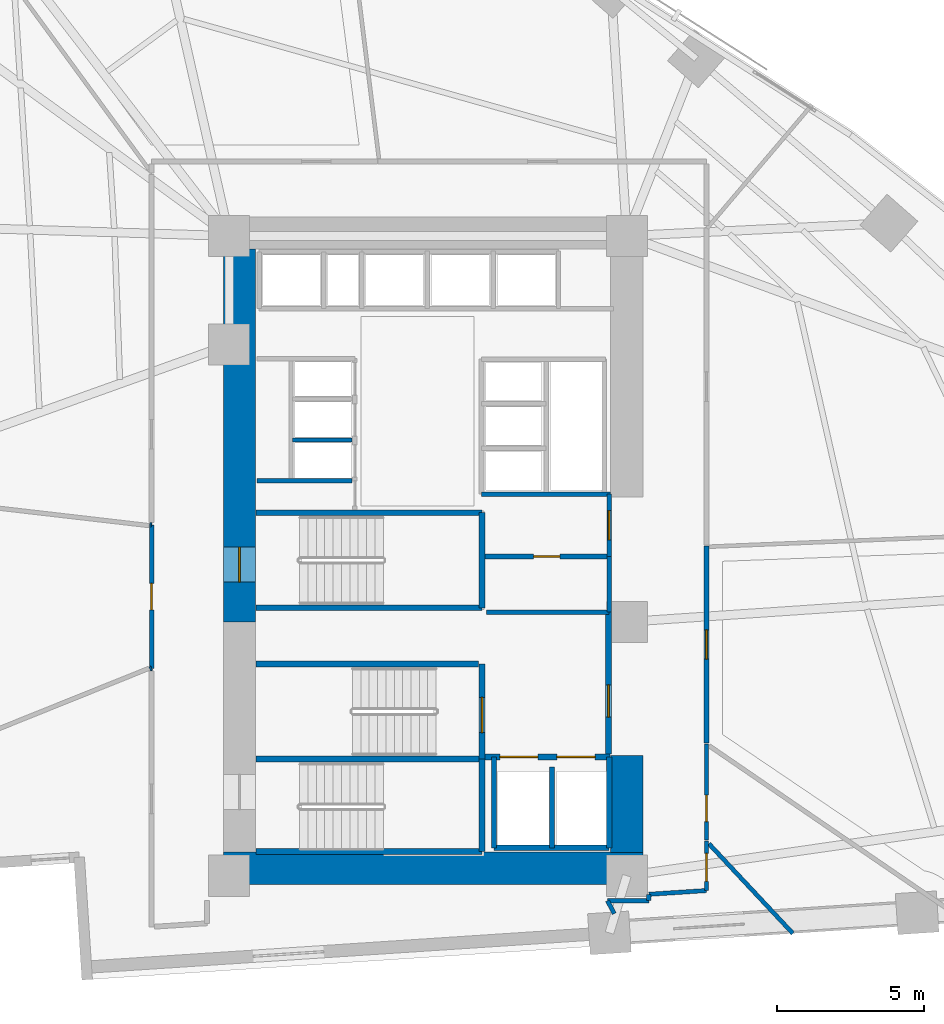
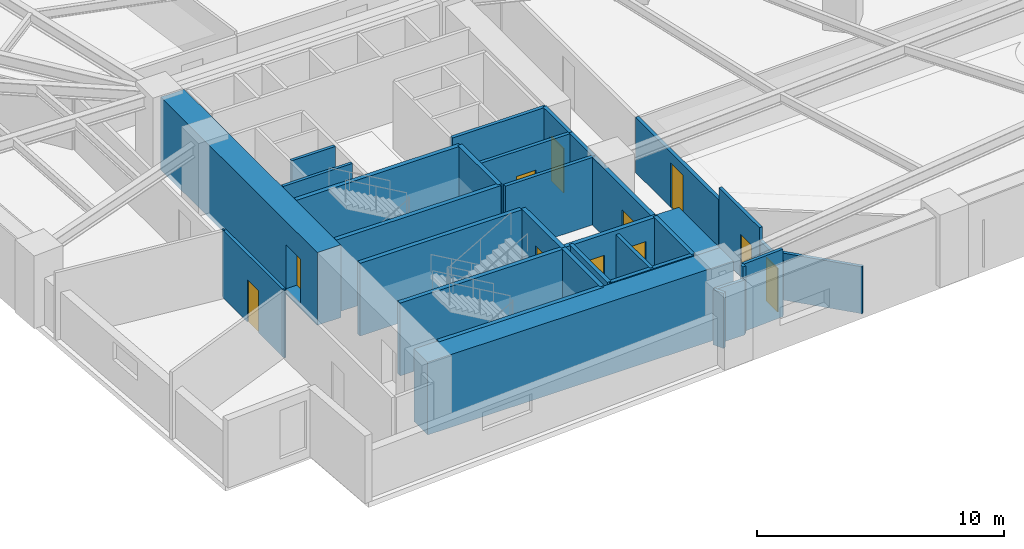
# One storey, part 12 of 16: 35 walls, 11 doors, 11 openings.
"""IFC4 building model written with IfcOpenShell, lengths in metres."""

from ifc_helpers import new_model, si_unit, direction, frame, frame_2d, origin, place, context, subcontext, project, spatial, rectangle, extrude, material, layer, layer_set, type_object, element, fill, save


model = new_model("IFC4")

# Units and contexts
model_context = context("Model", 3, precision=1e-05, world=origin(), true_north=direction((0.0, 1.0)))
body_context = subcontext(model_context, "Body", "Model", "MODEL_VIEW")
ifc_project = project(units=[si_unit("LENGTHUNIT", "METRE"), si_unit("AREAUNIT", "SQUARE_METRE"), si_unit("VOLUMEUNIT", "CUBIC_METRE"), si_unit("PLANEANGLEUNIT", "RADIAN"), si_unit("MASSUNIT", "GRAM", prefix="KILO")], contexts=[model_context])

# Site, building, storey
site_placement = place(None, origin())
site = spatial("IfcSite", under=ifc_project, at=site_placement, CompositionType="ELEMENT")
building_placement = place(site_placement, origin())
building = spatial("IfcBuilding", under=site, at=building_placement, Name="Narakoshi Arena Tower", CompositionType="ELEMENT")
storey_placement = place(building_placement, frame((0.0, 0.0, 81.300048828125)))
storey = spatial("IfcBuildingStorey", under=building, at=storey_placement, Name="L21", CompositionType="ELEMENT", Elevation=81.300048828125)

# Walls
ifc_material_1 = material(Name="Concrete C60/75", Category="concrete")
ifc_layer_1 = layer(ifc_material_1, 1.10009765625)
ifc_layer_set_1 = layer_set([ifc_layer_1], Name="Concrete C60/75")
wall_type_1 = type_object("IfcWallType", Name="WL-CORE-1100", PredefinedType="SHEAR", material=ifc_layer_set_1)
wall_1_placement = place(storey_placement, frame((71.800048828125, 34.949951171875, -0.260009765625), z_axis=(0.0, 0.0, 1.0), x_axis=(1.0, 0.0, 0.0)))
element("IfcWall", 1, at=wall_1_placement, inside=storey, type_object=wall_type_1, Name="L21 Central Core Shear Wall CW-APX-S", PredefinedType="SHEAR", context=body_context, shape_type="SweptSolid", body=[
    extrude(rectangle(XDim=14.300048828125, YDim=1.10009765625, at=frame_2d((7.14990234375, 0.0))), origin(), (0.0, 0.0, 1.0), 3.599853515625),
])
wall_2_placement = place(storey_placement, frame((85.550048828125, 35.5, -0.260009765625), z_axis=(0.0, 0.0, 1.0), x_axis=(0.0, 1.0, 0.0)))
element("IfcWall", 2, at=wall_2_placement, inside=storey, type_object=wall_type_1, Name="L21 Central Core Shear Wall CW-APX-E", PredefinedType="SHEAR", context=body_context, shape_type="SweptSolid", body=[
    extrude(rectangle(XDim=3.300048828125, YDim=1.10009765625, at=frame_2d((1.64990234375, 0.0))), origin(), (0.0, 0.0, 1.0), 3.599853515625),
])

# Wall, opening, door
wall_3_placement = place(storey_placement, frame((72.35009765625, 43.35009765625, -0.260009765625), z_axis=(0.0, 0.0, 1.0), x_axis=(0.0, 1.0, 0.0)))
wall_3 = element("IfcWall", 3, at=wall_3_placement, inside=storey, type_object=wall_type_1, Name="L21 Main Core Shear Wall CW-MN-W", PredefinedType="SHEAR", context=body_context, shape_type="SweptSolid", body=[
    extrude(rectangle(XDim=12.699951171875, YDim=1.10009765625, at=frame_2d((6.35009765625, 0.0))), origin(), (0.0, 0.0, 1.0), 3.599853515625),
])
opening_1_placement = place(wall_3_placement, frame((1.35009765625, 0.0, 0.260009765625)))
opening_1 = element("IfcOpeningElement", 4, at=opening_1_placement, cuts=wall_3, Name="Opening D-03", PredefinedType="OPENING", context=body_context, shape_type="SweptSolid", body=[
    extrude(rectangle(XDim=1.199951171875, YDim=2.199951171875, at=frame_2d((0.60009765625, 1.10009765625))), frame((0.0, 0.56005859375, 0.0), z_axis=(0.0, -1.0, 0.0), x_axis=(1.0, 0.0, 0.0)), (0.0, 0.0, 1.0), 1.1201171875),
])
ifc_material_2 = material(Name="Painted galvanized steel", Category="steel")
door_type_1 = type_object("IfcDoorType", Name="DR-STR-1200", OperationType="NOTDEFINED", PredefinedType="USERDEFINED", material=ifc_material_2)
door_1_placement = place(opening_1_placement, frame((1.199951171875, 0.0, 0.0), z_axis=(0.0, 0.0, 1.0), x_axis=(-1.0, 0.0, 0.0)))
door_1 = element("IfcDoor", 5, at=door_1_placement, inside=storey, type_object=door_type_1, Name="DR-L21-007", ObjectType="EXITDOOR", OperationType="SINGLE_SWING_LEFT", OverallHeight=2.199951171875, OverallWidth=1.199951171875, PredefinedType="USERDEFINED", context=body_context, shape_type="SweptSolid", body=[
    extrude(rectangle(XDim=1.199951171875, YDim=2.199951171875, at=frame_2d((0.60009765625, 1.10009765625))), frame((0.0, 0.02490234375, 0.0), z_axis=(0.0, -1.0, 0.0), x_axis=(1.0, 0.0, 0.0)), (0.0, 0.0, 1.0), 0.050048828125),
])
fill(opening_1, door_1)

ifc_material_3 = material(Name="Gypsum plasterboard fire-rated partition")
ifc_layer_2 = layer(ifc_material_3, 0.1650390625)
ifc_layer_set_2 = layer_set([ifc_layer_2], Name="Gypsum plasterboard fire-rated partition")
wall_type_2 = type_object("IfcWallType", Name="WL-CORR-165", PredefinedType="PARTITIONING", material=ifc_layer_set_2)
wall_4_placement = place(storey_placement, frame((84.949951171875, 45.580078125, 0.0), z_axis=(0.0, 0.0, 1.0), x_axis=(0.0, 1.0, 0.0)))
wall_4 = element("IfcWall", 6, at=wall_4_placement, inside=storey, type_object=wall_type_2, Name="L21 Core Wall CPAS-E", PredefinedType="PARTITIONING", context=body_context, shape_type="SweptSolid", body=[
    extrude(rectangle(XDim=2.119873046875, YDim=0.1650390625, at=frame_2d((1.06005859375, 0.0))), origin(), (0.0, 0.0, 1.0), 3.33984375),
])
opening_2_placement = place(wall_4_placement, frame((0.56005859375, 0.0, 0.0)))
opening_2 = element("IfcOpeningElement", 7, at=opening_2_placement, cuts=wall_4, Name="Opening D-06", PredefinedType="OPENING", context=body_context, shape_type="SweptSolid", body=[
    extrude(rectangle(XDim=1.0, YDim=2.199951171875, at=frame_2d((0.5, 1.10009765625))), frame((0.0, 0.092529296875, 0.0), z_axis=(0.0, -1.0, 0.0), x_axis=(1.0, 0.0, 0.0)), (0.0, 0.0, 1.0), 0.18505859375),
])
ifc_material_4 = material(Name="Stained oak solid-core timber", Category="wood")
door_type_2 = type_object("IfcDoorType", Name="DR-OFF-1000", OperationType="NOTDEFINED", PredefinedType="DOOR", material=ifc_material_4)
door_2_placement = place(opening_2_placement, frame((1.0, 0.0, 0.0), z_axis=(0.0, 0.0, 1.0), x_axis=(-1.0, 0.0, 0.0)))
door_2 = element("IfcDoor", 8, at=door_2_placement, inside=storey, type_object=door_type_2, Name="DR-L21-008", OperationType="SINGLE_SWING_LEFT", OverallHeight=2.199951171875, OverallWidth=1.0, PredefinedType="DOOR", context=body_context, shape_type="SweptSolid", body=[
    extrude(rectangle(XDim=1.0, YDim=2.199951171875, at=frame_2d((0.5, 1.10009765625))), frame((0.0, 0.02490234375, 0.0), z_axis=(0.0, -1.0, 0.0), x_axis=(1.0, 0.0, 0.0)), (0.0, 0.0, 1.0), 0.050048828125),
])
fill(opening_2, door_2)

wall_5_placement = place(storey_placement, frame((88.265625, 39.2177734375, 0.0), z_axis=(0.0, 0.0, 1.0), x_axis=(0.0, 1.0, 0.0)))
wall_5 = element("IfcWall", 9, at=wall_5_placement, inside=storey, type_object=wall_type_2, Name="L21 Corridor Partition 05-1", PredefinedType="PARTITIONING", context=body_context, shape_type="SweptSolid", body=[
    extrude(rectangle(XDim=6.7255859375, YDim=0.1650390625, at=frame_2d((3.36279296875, 0.0))), origin(), (0.0, 0.0, 1.0), 2.724853515625),
])
opening_3_placement = place(wall_5_placement, frame((2.86279296875, 0.0, 0.0)))
opening_3 = element("IfcOpeningElement", 10, at=opening_3_placement, cuts=wall_5, Name="Opening D-06", PredefinedType="OPENING", context=body_context, shape_type="SweptSolid", body=[
    extrude(rectangle(XDim=1.0, YDim=2.199951171875, at=frame_2d((0.5, 1.10009765625))), frame((0.0, 0.092529296875, 0.0), z_axis=(0.0, -1.0, 0.0), x_axis=(1.0, 0.0, 0.0)), (0.0, 0.0, 1.0), 0.18505859375),
])
door_3_placement = place(opening_3_placement, frame((1.0, 0.0, 0.0), z_axis=(0.0, 0.0, 1.0), x_axis=(-1.0, 0.0, 0.0)))
door_3 = element("IfcDoor", 11, at=door_3_placement, inside=storey, type_object=door_type_2, Name="DR-L21-018", OperationType="SINGLE_SWING_LEFT", OverallHeight=2.199951171875, OverallWidth=1.0, PredefinedType="DOOR", context=body_context, shape_type="SweptSolid", body=[
    extrude(rectangle(XDim=1.0, YDim=2.199951171875, at=frame_2d((0.5, 1.10009765625))), frame((0.0, 0.02490234375, 0.0), z_axis=(0.0, -1.0, 0.0), x_axis=(1.0, 0.0, 0.0)), (0.0, 0.0, 1.0), 0.050048828125),
])
fill(opening_3, door_3)

# Walls
ifc_material_5 = material(Name="Concrete C40/50", Category="concrete")
ifc_layer_3 = layer(ifc_material_5, 0.280029296875)
ifc_layer_set_3 = layer_set([ifc_layer_3], Name="Concrete C40/50")
wall_type_3 = type_object("IfcWallType", Name="WL-RISER-280", PredefinedType="PLUMBINGWALL", material=ifc_layer_set_3)
wall_6_placement = place(storey_placement, frame((83.0, 35.64990234375, 0.0), z_axis=(0.0, 0.0, 1.0), x_axis=(0.0, 1.0, 0.0)))
element("IfcWall", 12, at=wall_6_placement, inside=storey, type_object=wall_type_3, Name="L21 Core Wall FF-DIV", PredefinedType="PLUMBINGWALL", context=body_context, shape_type="SweptSolid", body=[
    extrude(rectangle(XDim=2.75, YDim=0.159912109375, at=frame_2d((1.375, 0.0))), origin(), (0.0, 0.0, 1.0), 3.33984375),
])
wall_7_placement = place(storey_placement, frame((84.949951171875, 43.679931640625, 0.0), z_axis=(0.0, 0.0, 1.0), x_axis=(0.0, 1.0, 0.0)))
element("IfcWall", 13, at=wall_7_placement, inside=storey, type_object=wall_type_3, Name="L21 Core Wall RSR-E", PredefinedType="PLUMBINGWALL", context=body_context, shape_type="SweptSolid", body=[
    extrude(rectangle(XDim=1.900146484375, YDim=0.1650390625, at=frame_2d((0.9501953125, 0.0))), origin(), (0.0, 0.0, 1.0), 3.33984375),
])

# Wall, opening, door
wall_8_placement = place(storey_placement, frame((80.719970703125, 45.580078125, 0.0), z_axis=(0.0, 0.0, 1.0), x_axis=(1.0, 0.0, 0.0)))
wall_8 = element("IfcWall", 14, at=wall_8_placement, inside=storey, type_object=wall_type_3, Name="L21 Core Wall RSR-N", PredefinedType="PLUMBINGWALL", context=body_context, shape_type="SweptSolid", body=[
    extrude(rectangle(XDim=4.22998046875, YDim=0.159912109375, at=frame_2d((2.114990234375, 0.0))), origin(), (0.0, 0.0, 1.0), 3.33984375),
])
opening_4_placement = place(wall_8_placement, frame((1.64990234375, 0.0, 0.0)))
opening_4 = element("IfcOpeningElement", 15, at=opening_4_placement, cuts=wall_8, Name="Opening D-08", PredefinedType="OPENING", context=body_context, shape_type="SweptSolid", body=[
    extrude(rectangle(XDim=0.89990234375, YDim=2.10009765625, at=frame_2d((0.449951171875, 1.050048828125))), frame((0.0, 0.08984375, 0.0), z_axis=(0.0, -1.0, 0.0), x_axis=(1.0, 0.0, 0.0)), (0.0, 0.0, 1.0), 0.179931640625),
])
ifc_material_6 = material(Name="Moisture-resistant laminate timber", Category="wood")
door_type_3 = type_object("IfcDoorType", Name="DR-WC-900", OperationType="NOTDEFINED", PredefinedType="DOOR", material=ifc_material_6)
door_4_placement = place(opening_4_placement, frame((0.89990234375, 0.0, 0.0), z_axis=(0.0, 0.0, 1.0), x_axis=(-1.0, 0.0, 0.0)))
door_4 = element("IfcDoor", 16, at=door_4_placement, inside=storey, type_object=door_type_3, Name="DR-L21-009", OperationType="SINGLE_SWING_LEFT", OverallHeight=2.10009765625, OverallWidth=0.89990234375, PredefinedType="DOOR", context=body_context, shape_type="SweptSolid", body=[
    extrude(rectangle(XDim=0.89990234375, YDim=2.10009765625, at=frame_2d((0.449951171875, 1.050048828125))), frame((0.0, 0.02490234375, 0.0), z_axis=(0.0, -1.0, 0.0), x_axis=(1.0, 0.0, 0.0)), (0.0, 0.0, 1.0), 0.050048828125),
])
fill(opening_4, door_4)

# Walls
wall_9_placement = place(storey_placement, frame((80.760009765625, 43.679931640625, 0.0), z_axis=(0.0, 0.0, 1.0), x_axis=(1.0, 0.0, 0.0)))
element("IfcWall", 17, at=wall_9_placement, inside=storey, type_object=wall_type_3, Name="L21 Core Wall RSR-S", PredefinedType="PLUMBINGWALL", context=body_context, shape_type="SweptSolid", body=[
    extrude(rectangle(XDim=4.18994140625, YDim=0.159912109375, at=frame_2d((2.094970703125, 0.0))), origin(), (0.0, 0.0, 1.0), 3.33984375),
])
wall_10_placement = place(storey_placement, frame((72.949951171875, 48.159912109375, 0.0), z_axis=(0.0, 0.0, 1.0), x_axis=(1.0, 0.0, 0.0)))
element("IfcWall", 18, at=wall_10_placement, inside=storey, type_object=wall_type_3, Name="L21 Core Wall LR-S0", PredefinedType="PLUMBINGWALL", context=body_context, shape_type="SweptSolid", body=[
    extrude(rectangle(XDim=3.239990234375, YDim=0.139892578125, at=frame_2d((1.6201171875, 0.0))), origin(), (0.0, 0.0, 1.0), 3.33984375),
])
wall_11_placement = place(storey_placement, frame((74.14990234375, 49.550048828125, 0.0), z_axis=(0.0, 0.0, 1.0), x_axis=(1.0, 0.0, 0.0)))
element("IfcWall", 19, at=wall_11_placement, inside=storey, type_object=wall_type_3, Name="L21 Core Wall LR-D1", PredefinedType="PLUMBINGWALL", context=body_context, shape_type="SweptSolid", body=[
    extrude(rectangle(XDim=2.0400390625, YDim=0.139892578125, at=frame_2d((1.02001953125, 0.0))), origin(), (0.0, 0.0, 1.0), 3.33984375),
])
ifc_material_7 = material(Name="Concrete C50/60", Category="concrete")
ifc_layer_4 = layer(ifc_material_7, 0.35009765625)
ifc_layer_set_4 = layer_set([ifc_layer_4], Name="Concrete C50/60")
wall_type_4 = type_object("IfcWallType", Name="WL-SHAFT-350", PredefinedType="SOLIDWALL", material=ifc_layer_set_4)
for number, where, z_axis, x_axis, name in (
    (20, (72.919921875, 35.52001953125, -0.260009765625), (0.0, 0.0, 1.0), (1.0, 0.0, 0.0), "L21 Core Wall ST1-S"),
    (21, (72.919921875, 38.675048828125, -0.260009765625), (0.0, 0.0, 1.0), (1.0, 0.0, 0.0), "L21 Core Wall ST12-DIV"),
):
    element("IfcWall", number, at=place(storey_placement, frame(where, z_axis=z_axis, x_axis=x_axis)), inside=storey, type_object=wall_type_4, Name=name, PredefinedType="SOLIDWALL", context=body_context, shape_type="SweptSolid", body=[
        extrude(rectangle(XDim=7.7001953125, YDim=0.199951171875, at=frame_2d((3.85009765625, 0.0))), origin(), (0.0, 0.0, 1.0), 3.599853515625),
    ])
wall_12_placement = place(storey_placement, frame((80.6201171875, 35.52001953125, -0.260009765625), z_axis=(0.0, 0.0, 1.0), x_axis=(0.0, 1.0, 0.0)))
element("IfcWall", 22, at=wall_12_placement, inside=storey, type_object=wall_type_4, Name="L21 Core Wall ST1-E", PredefinedType="SOLIDWALL", context=body_context, shape_type="SweptSolid", body=[
    extrude(rectangle(XDim=3.155029296875, YDim=0.199951171875, at=frame_2d((1.57763671875, 0.0))), origin(), (0.0, 0.0, 1.0), 3.599853515625),
])

# Wall, opening, door
wall_13_placement = place(storey_placement, frame((80.6201171875, 38.675048828125, -0.260009765625), z_axis=(0.0, 0.0, 1.0), x_axis=(0.0, 1.0, 0.0)))
wall_13 = element("IfcWall", 23, at=wall_13_placement, inside=storey, type_object=wall_type_4, Name="L21 Core Wall ST2-E", PredefinedType="SOLIDWALL", context=body_context, shape_type="SweptSolid", body=[
    extrude(rectangle(XDim=3.244873046875, YDim=0.199951171875, at=frame_2d((1.62255859375, 0.0))), origin(), (0.0, 0.0, 1.0), 3.599853515625),
])
opening_5_placement = place(wall_13_placement, frame((0.89990234375, 0.0, 0.260009765625)))
opening_5 = element("IfcOpeningElement", 24, at=opening_5_placement, cuts=wall_13, Name="Opening D-03", PredefinedType="OPENING", context=body_context, shape_type="SweptSolid", body=[
    extrude(rectangle(XDim=1.199951171875, YDim=2.199951171875, at=frame_2d((0.60009765625, 1.10009765625))), frame((0.0, 0.10986328125, 0.0), z_axis=(0.0, -1.0, 0.0), x_axis=(1.0, 0.0, 0.0)), (0.0, 0.0, 1.0), 0.219970703125),
])
door_5_placement = place(opening_5_placement, origin())
door_5 = element("IfcDoor", 25, at=door_5_placement, inside=storey, type_object=door_type_1, Name="DR-L21-003", ObjectType="EXITDOOR", OperationType="SINGLE_SWING_RIGHT", OverallHeight=2.199951171875, OverallWidth=1.199951171875, PredefinedType="USERDEFINED", context=body_context, shape_type="SweptSolid", body=[
    extrude(rectangle(XDim=1.199951171875, YDim=2.199951171875, at=frame_2d((0.60009765625, 1.10009765625))), frame((0.0, 0.02490234375, 0.0), z_axis=(0.0, -1.0, 0.0), x_axis=(1.0, 0.0, 0.0)), (0.0, 0.0, 1.0), 0.050048828125),
])
fill(opening_5, door_5)

# Wall, openings, doors
wall_14_placement = place(storey_placement, frame((80.719970703125, 38.75, 0.0), z_axis=(0.0, 0.0, 1.0), x_axis=(1.0, 0.0, 0.0)))
wall_14 = element("IfcWall", 26, at=wall_14_placement, inside=storey, type_object=wall_type_4, Name="L21 Core Wall FF-N", PredefinedType="SOLIDWALL", context=body_context, shape_type="SweptSolid", body=[
    extrude(rectangle(XDim=4.260009765625, YDim=0.199951171875, at=frame_2d((2.1298828125, 0.0))), origin(), (0.0, 0.0, 1.0), 3.33984375),
])
opening_6_placement = place(wall_14_placement, frame((0.5, 0.0, 0.0)))
opening_6 = element("IfcOpeningElement", 27, at=opening_6_placement, cuts=wall_14, Name="Opening LD-02", PredefinedType="OPENING", context=body_context, shape_type="SweptSolid", body=[
    extrude(rectangle(XDim=1.300048828125, YDim=2.300048828125, at=frame_2d((0.64990234375, 1.14990234375))), frame((0.0, 0.10986328125, 0.0), z_axis=(0.0, -1.0, 0.0), x_axis=(1.0, 0.0, 0.0)), (0.0, 0.0, 1.0), 0.219970703125),
])
opening_7_placement = place(wall_14_placement, frame((2.449951171875, 0.0, 0.0)))
opening_7 = element("IfcOpeningElement", 28, at=opening_7_placement, cuts=wall_14, Name="Opening LD-02", PredefinedType="OPENING", context=body_context, shape_type="SweptSolid", body=[
    extrude(rectangle(XDim=1.300048828125, YDim=2.300048828125, at=frame_2d((0.64990234375, 1.14990234375))), frame((0.0, 0.10986328125, 0.0), z_axis=(0.0, -1.0, 0.0), x_axis=(1.0, 0.0, 0.0)), (0.0, 0.0, 1.0), 0.219970703125),
])
ifc_material_8 = material(Name="Brushed bronze stainless steel", Category="steel")
door_type_4 = type_object("IfcDoorType", Name="DR-LFT-1300", OperationType="DOUBLE_DOOR_SLIDING", PredefinedType="DOOR", material=ifc_material_8)
door_6_placement = place(opening_6_placement, origin())
door_6 = element("IfcDoor", 29, at=door_6_placement, inside=storey, type_object=door_type_4, Name="DR-L21-004", OperationType="DOUBLE_DOOR_SLIDING", OverallHeight=2.300048828125, OverallWidth=1.300048828125, PredefinedType="DOOR", context=body_context, shape_type="SweptSolid", body=[
    extrude(rectangle(XDim=1.300048828125, YDim=2.300048828125, at=frame_2d((0.64990234375, 1.14990234375))), frame((0.0, 0.02490234375, 0.0), z_axis=(0.0, -1.0, 0.0), x_axis=(1.0, 0.0, 0.0)), (0.0, 0.0, 1.0), 0.050048828125),
])
fill(opening_6, door_6)
door_7_placement = place(opening_7_placement, origin())
door_7 = element("IfcDoor", 30, at=door_7_placement, inside=storey, type_object=door_type_4, Name="DR-L21-005", OperationType="DOUBLE_DOOR_SLIDING", OverallHeight=2.300048828125, OverallWidth=1.300048828125, PredefinedType="DOOR", context=body_context, shape_type="SweptSolid", body=[
    extrude(rectangle(XDim=1.300048828125, YDim=2.300048828125, at=frame_2d((0.64990234375, 1.14990234375))), frame((0.0, 0.02490234375, 0.0), z_axis=(0.0, -1.0, 0.0), x_axis=(1.0, 0.0, 0.0)), (0.0, 0.0, 1.0), 0.050048828125),
])
fill(opening_7, door_7)

# Walls
for number, where, z_axis, x_axis, name in (
    (31, (84.949951171875, 35.64990234375, 0.0), (0.0, 0.0, 1.0), (0.0, 1.0, 0.0), "L21 Core Wall FF-E"),
    (32, (81.02001953125, 35.64990234375, 0.0), (0.0, 0.0, 1.0), (0.0, 1.0, 0.0), "L21 Core Wall FF-W"),
):
    element("IfcWall", number, at=place(storey_placement, frame(where, z_axis=z_axis, x_axis=x_axis)), inside=storey, type_object=wall_type_4, Name=name, PredefinedType="SOLIDWALL", context=body_context, shape_type="SweptSolid", body=[
        extrude(rectangle(XDim=3.10009765625, YDim=0.179931640625, at=frame_2d((1.550048828125, 0.0))), origin(), (0.0, 0.0, 1.0), 3.33984375),
    ])
wall_15_placement = place(storey_placement, frame((81.02001953125, 35.64990234375, 0.0), z_axis=(0.0, 0.0, 1.0), x_axis=(1.0, 0.0, 0.0)))
element("IfcWall", 33, at=wall_15_placement, inside=storey, type_object=wall_type_4, Name="L21 Core Wall FF-S", PredefinedType="SOLIDWALL", context=body_context, shape_type="SweptSolid", body=[
    extrude(rectangle(XDim=3.929931640625, YDim=0.179931640625, at=frame_2d((1.96484375, 0.0))), origin(), (0.0, 0.0, 1.0), 3.33984375),
])

# Wall, opening, door
wall_16_placement = place(storey_placement, frame((84.919921875, 38.85009765625, 0.0), z_axis=(0.0, 0.0, 1.0), x_axis=(0.0, 1.0, 0.0)))
wall_16 = element("IfcWall", 34, at=wall_16_placement, inside=storey, type_object=wall_type_4, Name="L21 Core Wall FFLOB-E", PredefinedType="SOLIDWALL", context=body_context, shape_type="SweptSolid", body=[
    extrude(rectangle(XDim=4.829833984375, YDim=0.199951171875, at=frame_2d((2.4150390625, 0.0))), origin(), (0.0, 0.0, 1.0), 3.33984375),
])
opening_8_placement = place(wall_16_placement, frame((1.25, 0.0, 0.0)))
opening_8 = element("IfcOpeningElement", 35, at=opening_8_placement, cuts=wall_16, Name="Opening D-04", PredefinedType="OPENING", context=body_context, shape_type="SweptSolid", body=[
    extrude(rectangle(XDim=1.10009765625, YDim=2.199951171875, at=frame_2d((0.550048828125, 1.10009765625))), frame((0.0, 0.10986328125, 0.0), z_axis=(0.0, -1.0, 0.0), x_axis=(1.0, 0.0, 0.0)), (0.0, 0.0, 1.0), 0.219970703125),
])
door_type_5 = type_object("IfcDoorType", Name="DR-FFL-1100", OperationType="NOTDEFINED", PredefinedType="DOOR", material=ifc_material_2)
door_8_placement = place(opening_8_placement, frame((1.10009765625, 0.0, 0.0), z_axis=(0.0, 0.0, 1.0), x_axis=(-1.0, 0.0, 0.0)))
door_8 = element("IfcDoor", 36, at=door_8_placement, inside=storey, type_object=door_type_5, Name="DR-L21-006", OperationType="SINGLE_SWING_RIGHT", OverallHeight=2.199951171875, OverallWidth=1.10009765625, PredefinedType="DOOR", context=body_context, shape_type="SweptSolid", body=[
    extrude(rectangle(XDim=1.10009765625, YDim=2.199951171875, at=frame_2d((0.550048828125, 1.10009765625))), frame((0.0, 0.02490234375, 0.0), z_axis=(0.0, -1.0, 0.0), x_axis=(1.0, 0.0, 0.0)), (0.0, 0.0, 1.0), 0.050048828125),
])
fill(opening_8, door_8)

# Walls
wall_17_placement = place(storey_placement, frame((72.919921875, 41.919921875, -0.260009765625), z_axis=(0.0, 0.0, 1.0), x_axis=(1.0, 0.0, 0.0)))
element("IfcWall", 37, at=wall_17_placement, inside=storey, type_object=wall_type_4, Name="L21 Core Wall ST2-N", PredefinedType="SOLIDWALL", context=body_context, shape_type="SweptSolid", body=[
    extrude(rectangle(XDim=7.580078125, YDim=0.199951171875, at=frame_2d((3.7900390625, 0.0))), origin(), (0.0, 0.0, 1.0), 3.599853515625),
])
for number, where, z_axis, x_axis, name in (
    (38, (72.919921875, 43.830078125, -0.260009765625), (0.0, 0.0, 1.0), (1.0, 0.0, 0.0), "L21 Core Wall ST3-S"),
    (39, (72.919921875, 47.070068359375, -0.260009765625), (0.0, 0.0, 1.0), (1.0, 0.0, 0.0), "L21 Core Wall ST3-N"),
):
    element("IfcWall", number, at=place(storey_placement, frame(where, z_axis=z_axis, x_axis=x_axis)), inside=storey, type_object=wall_type_4, Name=name, PredefinedType="SOLIDWALL", context=body_context, shape_type="SweptSolid", body=[
        extrude(rectangle(XDim=7.7001953125, YDim=0.199951171875, at=frame_2d((3.85009765625, 0.0))), origin(), (0.0, 0.0, 1.0), 3.599853515625),
    ])
wall_18_placement = place(storey_placement, frame((80.6201171875, 43.830078125, -0.260009765625), z_axis=(0.0, 0.0, 1.0), x_axis=(0.0, 1.0, 0.0)))
element("IfcWall", 40, at=wall_18_placement, inside=storey, type_object=wall_type_4, Name="L21 Core Wall ST3-E", PredefinedType="SOLIDWALL", context=body_context, shape_type="SweptSolid", body=[
    extrude(rectangle(XDim=3.239990234375, YDim=0.199951171875, at=frame_2d((1.6201171875, 0.0))), origin(), (0.0, 0.0, 1.0), 3.599853515625),
])
wall_19_placement = place(storey_placement, frame((80.60009765625, 47.699951171875, 0.0), z_axis=(0.0, 0.0, 1.0), x_axis=(1.0, 0.0, 0.0)))
element("IfcWall", 41, at=wall_19_placement, inside=storey, type_object=wall_type_4, Name="L21 Core Wall MR-S", PredefinedType="SOLIDWALL", context=body_context, shape_type="SweptSolid", body=[
    extrude(rectangle(XDim=4.39990234375, YDim=0.159912109375, at=frame_2d((2.199951171875, 0.0))), origin(), (0.0, 0.0, 1.0), 3.33984375),
])

# Wall, opening, door
ifc_material_9 = material(Name="Moisture-resistant cement-board partition")
ifc_layer_5 = layer(ifc_material_9, 0.14501953125)
ifc_layer_set_5 = layer_set([ifc_layer_5], Name="Moisture-resistant cement-board partition")
wall_type_5 = type_object("IfcWallType", Name="WL-WET-145", PredefinedType="PARTITIONING", material=ifc_layer_set_5)
wall_20_placement = place(storey_placement, frame((69.357421875, 46.655517578125, 0.0), z_axis=(0.0, 0.0, 1.0), x_axis=(0.0, -1.0, 0.0)))
wall_20 = element("IfcWall", 42, at=wall_20_placement, inside=storey, type_object=wall_type_5, Name="L21 Corridor Partition 01-1", PredefinedType="PARTITIONING", context=body_context, shape_type="SweptSolid", body=[
    extrude(rectangle(XDim=4.88623046875, YDim=0.14501953125, at=frame_2d((2.443115234375, 0.0))), origin(), (0.0, 0.0, 1.0), 3.33984375),
])
opening_9_placement = place(wall_20_placement, frame((1.9931640625, 0.0, 0.0)))
opening_9 = element("IfcOpeningElement", 43, at=opening_9_placement, cuts=wall_20, Name="Opening D-08", PredefinedType="OPENING", context=body_context, shape_type="SweptSolid", body=[
    extrude(rectangle(XDim=0.89990234375, YDim=2.10009765625, at=frame_2d((0.449951171875, 1.050048828125))), frame((0.0, 0.08251953125, 0.0), z_axis=(0.0, -1.0, 0.0), x_axis=(1.0, 0.0, 0.0)), (0.0, 0.0, 1.0), 0.1650390625),
])
door_9_placement = place(opening_9_placement, frame((0.89990234375, 0.0, 0.0), z_axis=(0.0, 0.0, 1.0), x_axis=(-1.0, 0.0, 0.0)))
door_9 = element("IfcDoor", 44, at=door_9_placement, inside=storey, type_object=door_type_3, Name="DR-L21-014", OperationType="SINGLE_SWING_RIGHT", OverallHeight=2.10009765625, OverallWidth=0.89990234375, PredefinedType="DOOR", context=body_context, shape_type="SweptSolid", body=[
    extrude(rectangle(XDim=0.89990234375, YDim=2.10009765625, at=frame_2d((0.449951171875, 1.050048828125))), frame((0.0, 0.02490234375, 0.0), z_axis=(0.0, -1.0, 0.0), x_axis=(1.0, 0.0, 0.0)), (0.0, 0.0, 1.0), 0.050048828125),
])
fill(opening_9, door_9)

# Walls
wall_21_placement = place(storey_placement, frame((69.357421875, 41.769287109375, 0.0), z_axis=(0.0, 0.0, 1.0), x_axis=(-0.924521719342, -0.381129361851, 0.0)))
element("IfcWall", 45, at=wall_21_placement, inside=storey, type_object=wall_type_5, Name="L21 Corridor Partition 01-2", PredefinedType="PARTITIONING", context=body_context, shape_type="SweptSolid", body=[
    extrude(rectangle(XDim=0.064697265625, YDim=0.14501953125, at=frame_2d((0.0322265625, 0.0))), origin(), (0.0, 0.0, 1.0), 3.33984375),
])
wall_22_placement = place(storey_placement, frame((69.297607421875, 46.662109375, 0.0), z_axis=(0.0, 0.0, 1.0), x_axis=(0.993982288611, -0.109540905275, 0.0)))
element("IfcWall", 46, at=wall_22_placement, inside=storey, type_object=wall_type_5, Name="L21 Corridor Partition 01-3", PredefinedType="PARTITIONING", context=body_context, shape_type="SweptSolid", body=[
    extrude(rectangle(XDim=0.06005859375, YDim=0.14501953125, at=frame_2d((0.030029296875, 0.0))), origin(), (0.0, 0.0, 1.0), 3.33984375),
])
wall_23_placement = place(storey_placement, frame((86.300048828125, 34.066650390625, 0.0), z_axis=(0.0, 0.0, 1.0), x_axis=(0.997864504331, 0.065317922467, 0.0)))
element("IfcWall", 47, at=wall_23_placement, inside=storey, type_object=wall_type_5, Name="L21 Corridor Partition 03-1", PredefinedType="PARTITIONING", context=body_context, shape_type="SweptSolid", body=[
    extrude(rectangle(XDim=1.9697265625, YDim=0.14501953125, at=frame_2d((0.98486328125, 0.0))), origin(), (0.0, 0.0, 1.0), 3.33984375),
])

# Wall, opening, door
wall_24_placement = place(storey_placement, frame((88.265625, 34.1953125, 0.0), z_axis=(0.0, 0.0, 1.0), x_axis=(0.0, 1.0, 0.0)))
wall_24 = element("IfcWall", 48, at=wall_24_placement, inside=storey, type_object=wall_type_5, Name="L21 Corridor Partition 03-2", PredefinedType="PARTITIONING", context=body_context, shape_type="SweptSolid", body=[
    extrude(rectangle(XDim=1.6806640625, YDim=0.14501953125, at=frame_2d((0.84033203125, 0.0))), origin(), (0.0, 0.0, 1.0), 2.724853515625),
])
opening_10_placement = place(wall_24_placement, frame((0.315673828125, 0.0, 0.0)))
opening_10 = element("IfcOpeningElement", 49, at=opening_10_placement, cuts=wall_24, Name="Opening D-07", PredefinedType="OPENING", context=body_context, shape_type="SweptSolid", body=[
    extrude(rectangle(XDim=0.949951171875, YDim=2.14990234375, at=frame_2d((0.47509765625, 1.074951171875))), frame((0.0, 0.08251953125, 0.0), z_axis=(0.0, -1.0, 0.0), x_axis=(1.0, 0.0, 0.0)), (0.0, 0.0, 1.0), 0.1650390625),
])
door_type_6 = type_object("IfcDoorType", Name="DR-ACC-950", OperationType="NOTDEFINED", PredefinedType="DOOR", material=ifc_material_4)
door_10_placement = place(opening_10_placement, frame((0.949951171875, 0.0, 0.0), z_axis=(0.0, 0.0, 1.0), x_axis=(-1.0, 0.0, 0.0)))
door_10 = element("IfcDoor", 50, at=door_10_placement, inside=storey, type_object=door_type_6, Name="DR-L21-016", OperationType="SINGLE_SWING_LEFT", OverallHeight=2.14990234375, OverallWidth=0.949951171875, PredefinedType="DOOR", context=body_context, shape_type="SweptSolid", body=[
    extrude(rectangle(XDim=0.949951171875, YDim=2.14990234375, at=frame_2d((0.47509765625, 1.074951171875))), frame((0.0, 0.02490234375, 0.0), z_axis=(0.0, -1.0, 0.0), x_axis=(1.0, 0.0, 0.0)), (0.0, 0.0, 1.0), 0.050048828125),
])
fill(opening_10, door_10)

# Wall
wall_25_placement = place(storey_placement, frame((88.35009765625, 35.78564453125, 0.0), z_axis=(0.0, 0.0, 1.0), x_axis=(0.683383217661, -0.730059845368, 0.0)))
element("IfcWall", 51, at=wall_25_placement, inside=storey, type_object=wall_type_5, Name="L21 Inter-Room Partition 03-04", PredefinedType="PARTITIONING", context=body_context, shape_type="SweptSolid", body=[
    extrude(rectangle(XDim=4.17919921875, YDim=0.14501953125, at=frame_2d((2.089599609375, 0.0))), origin(), (0.0, 0.0, 1.0), 2.324951171875),
])

# Wall, opening, door
wall_26_placement = place(storey_placement, frame((88.265625, 35.910400390625, 0.0), z_axis=(0.0, 0.0, 1.0), x_axis=(0.0, 1.0, 0.0)))
wall_26 = element("IfcWall", 52, at=wall_26_placement, inside=storey, type_object=wall_type_5, Name="L21 Corridor Partition 04-1", PredefinedType="PARTITIONING", context=body_context, shape_type="SweptSolid", body=[
    extrude(rectangle(XDim=3.2783203125, YDim=0.14501953125, at=frame_2d((1.63916015625, 0.0))), origin(), (0.0, 0.0, 1.0), 3.33984375),
])
opening_11_placement = place(wall_26_placement, frame((0.63525390625, 0.0, 0.0)))
opening_11 = element("IfcOpeningElement", 53, at=opening_11_placement, cuts=wall_26, Name="Opening D-08", PredefinedType="OPENING", context=body_context, shape_type="SweptSolid", body=[
    extrude(rectangle(XDim=0.89990234375, YDim=2.10009765625, at=frame_2d((0.449951171875, 1.050048828125))), frame((0.0, 0.08251953125, 0.0), z_axis=(0.0, -1.0, 0.0), x_axis=(1.0, 0.0, 0.0)), (0.0, 0.0, 1.0), 0.1650390625),
])
door_11_placement = place(opening_11_placement, frame((0.89990234375, 0.0, 0.0), z_axis=(0.0, 0.0, 1.0), x_axis=(-1.0, 0.0, 0.0)))
door_11 = element("IfcDoor", 54, at=door_11_placement, inside=storey, type_object=door_type_3, Name="DR-L21-017", OperationType="SINGLE_SWING_LEFT", OverallHeight=2.10009765625, OverallWidth=0.89990234375, PredefinedType="DOOR", context=body_context, shape_type="SweptSolid", body=[
    extrude(rectangle(XDim=0.89990234375, YDim=2.10009765625, at=frame_2d((0.449951171875, 1.050048828125))), frame((0.0, 0.02490234375, 0.0), z_axis=(0.0, -1.0, 0.0), x_axis=(1.0, 0.0, 0.0)), (0.0, 0.0, 1.0), 0.050048828125),
])
fill(opening_11, door_11)

# Walls
wall_27_placement = place(storey_placement, frame((84.89111328125, 33.85009765625, 0.0), z_axis=(0.0, 0.0, 1.0), x_axis=(1.0, 0.0, 0.0)))
element("IfcWall", 55, at=wall_27_placement, inside=storey, type_object=wall_type_5, Name="L21 Room Enclosure Partition 03-1", PredefinedType="PARTITIONING", context=body_context, shape_type="SweptSolid", body=[
    extrude(rectangle(XDim=1.408935546875, YDim=0.14501953125, at=frame_2d((0.70458984375, 0.0))), origin(), (0.0, 0.0, 1.0), 2.724853515625),
])
wall_28_placement = place(storey_placement, frame((86.300048828125, 33.85009765625, 0.0), z_axis=(0.0, 0.0, 1.0), x_axis=(0.0, 1.0, 0.0)))
element("IfcWall", 56, at=wall_28_placement, inside=storey, type_object=wall_type_5, Name="L21 Room Enclosure Partition 03-2", PredefinedType="PARTITIONING", context=body_context, shape_type="SweptSolid", body=[
    extrude(rectangle(XDim=0.216552734375, YDim=0.14501953125, at=frame_2d((0.1083984375, 0.0))), origin(), (0.0, 0.0, 1.0), 3.33984375),
])
wall_29_placement = place(storey_placement, frame((85.119873046875, 33.407958984375, 0.0), z_axis=(0.0, 0.0, 1.0), x_axis=(-0.459529650034, 0.888162429255, 0.0)))
element("IfcWall", 57, at=wall_29_placement, inside=storey, type_object=wall_type_5, Name="L21 Room Enclosure Partition 03-3", PredefinedType="PARTITIONING", context=body_context, shape_type="SweptSolid", body=[
    extrude(rectangle(XDim=0.497802734375, YDim=0.14501953125, at=frame_2d((0.2490234375, 0.0))), origin(), (0.0, 0.0, 1.0), 2.724853515625),
])

save(model, "model.ifc")
